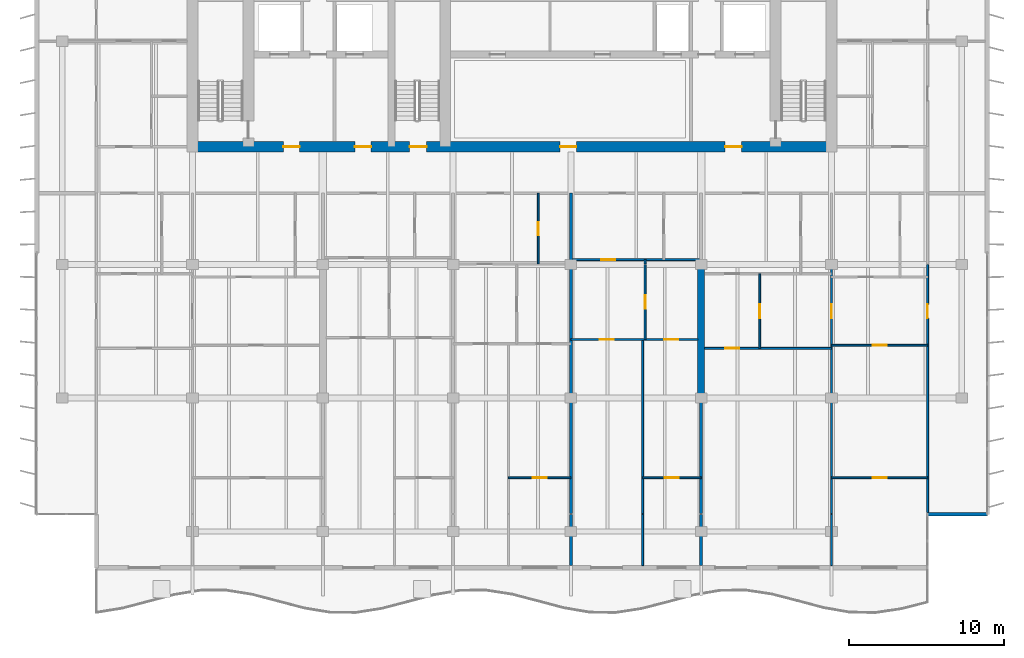
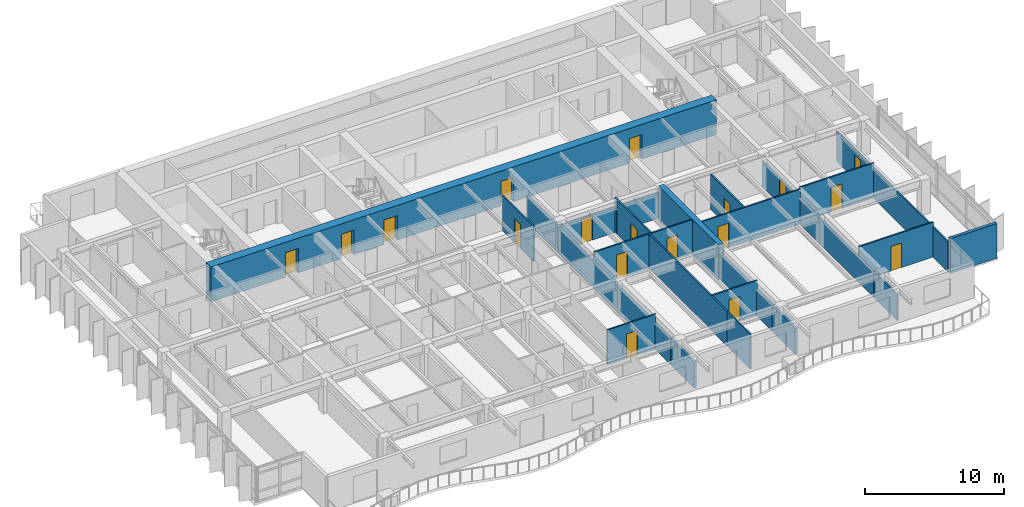
# One storey, part 8 of 17: 24 walls, 18 doors, 18 openings.
"""IFC4 building model written with IfcOpenShell, lengths in metres."""

from ifc_helpers import new_model, si_unit, direction, frame, frame_2d, origin, place, context, subcontext, project, spatial, rectangle, extrude, material, layer, layer_set, type_object, element, fill, save


model = new_model("IFC4")

# Units and contexts
model_context = context("Model", 3, precision=1e-05, world=origin(), true_north=direction((0.0, 1.0)))
body_context = subcontext(model_context, "Body", "Model", "MODEL_VIEW")
ifc_project = project(units=[si_unit("LENGTHUNIT", "METRE"), si_unit("AREAUNIT", "SQUARE_METRE"), si_unit("VOLUMEUNIT", "CUBIC_METRE"), si_unit("PLANEANGLEUNIT", "RADIAN"), si_unit("MASSUNIT", "GRAM", prefix="KILO")], contexts=[model_context])

# Site, building, storey
site_placement = place(None, origin())
site = spatial("IfcSite", under=ifc_project, at=site_placement, CompositionType="ELEMENT")
building_placement = place(site_placement, origin())
building = spatial("IfcBuilding", under=site, at=building_placement, Name="Caelmar Bay Residences", CompositionType="ELEMENT")
storey_placement = place(building_placement, frame((0.0, 0.0, 236.39990234375)))
storey = spatial("IfcBuildingStorey", under=building, at=storey_placement, Name="L66", CompositionType="ELEMENT", Elevation=236.39990234375)

# Wall, openings, doors
ifc_material_1 = material(Name="Concrete f'c 55 MPa (8,000 psi)", Category="concrete")
ifc_layer_1 = layer(ifc_material_1, 0.699951171875)
ifc_layer_set_1 = layer_set([ifc_layer_1], Name="Concrete f'c 55 MPa (8,000 psi)")
wall_type_1 = type_object("IfcWallType", Name="SW-COR-700", PredefinedType="SHEAR", material=ifc_layer_set_1)
wall_1_placement = place(storey_placement, frame((17.949951171875, 37.0, 0.0), z_axis=(0.0, 0.0, 1.0), x_axis=(1.0, 0.0, 0.0)))
wall_1 = element("IfcWall", 1, at=wall_1_placement, inside=storey, type_object=wall_type_1, Name="L66 Rear Core South Shear Wall", PredefinedType="SHEAR", context=body_context, shape_type="SweptSolid", body=[
    extrude(rectangle(XDim=41.900146484375, YDim=0.699951171875, at=frame_2d((20.9501953125, 0.0))), origin(), (0.0, 0.0, 1.0), 3.050048828125),
])
opening_1_placement = place(wall_1_placement, frame((14.35009765625, 0.0, 0.0)))
opening_1 = element("IfcOpeningElement", 2, at=opening_1_placement, cuts=wall_1, Name="Opening D-L66-105", PredefinedType="OPENING", context=body_context, shape_type="SweptSolid", body=[
    extrude(rectangle(XDim=1.10009765625, YDim=2.14990234375, at=frame_2d((0.550048828125, 1.074951171875))), frame((0.0, 0.35986328125, 0.0), z_axis=(0.0, -1.0, 0.0), x_axis=(1.0, 0.0, 0.0)), (0.0, 0.0, 1.0), 0.719970703125),
])
opening_2_placement = place(wall_1_placement, frame((6.199951171875, 0.0, 0.0)))
opening_2 = element("IfcOpeningElement", 3, at=opening_2_placement, cuts=wall_1, Name="Opening D-L66-106", PredefinedType="OPENING", context=body_context, shape_type="SweptSolid", body=[
    extrude(rectangle(XDim=1.050048828125, YDim=2.14990234375, at=frame_2d((0.52490234375, 1.074951171875))), frame((0.0, 0.35986328125, 0.0), z_axis=(0.0, -1.0, 0.0), x_axis=(1.0, 0.0, 0.0)), (0.0, 0.0, 1.0), 0.719970703125),
])
opening_3_placement = place(wall_1_placement, frame((34.699951171875, 0.0, 0.0)))
opening_3 = element("IfcOpeningElement", 4, at=opening_3_placement, cuts=wall_1, Name="Opening D-L66-109", PredefinedType="OPENING", context=body_context, shape_type="SweptSolid", body=[
    extrude(rectangle(XDim=1.050048828125, YDim=2.14990234375, at=frame_2d((0.52490234375, 1.074951171875))), frame((0.0, 0.35986328125, 0.0), z_axis=(0.0, -1.0, 0.0), x_axis=(1.0, 0.0, 0.0)), (0.0, 0.0, 1.0), 0.719970703125),
])
opening_4_placement = place(wall_1_placement, frame((10.8125, 0.0, 0.0)))
opening_4 = element("IfcOpeningElement", 5, at=opening_4_placement, cuts=wall_1, Name="Opening D-L66-112", PredefinedType="OPENING", context=body_context, shape_type="SweptSolid", body=[
    extrude(rectangle(XDim=1.050048828125, YDim=2.14990234375, at=frame_2d((0.52490234375, 1.074951171875))), frame((0.0, 0.35986328125, 0.0), z_axis=(0.0, -1.0, 0.0), x_axis=(1.0, 0.0, 0.0)), (0.0, 0.0, 1.0), 0.719970703125),
])
opening_5_placement = place(wall_1_placement, frame((24.050048828125, 0.0, 0.0)))
opening_5 = element("IfcOpeningElement", 6, at=opening_5_placement, cuts=wall_1, Name="Opening D-L66-113", PredefinedType="OPENING", context=body_context, shape_type="SweptSolid", body=[
    extrude(rectangle(XDim=1.050048828125, YDim=2.14990234375, at=frame_2d((0.52490234375, 1.074951171875))), frame((0.0, 0.35986328125, 0.0), z_axis=(0.0, -1.0, 0.0), x_axis=(1.0, 0.0, 0.0)), (0.0, 0.0, 1.0), 0.719970703125),
])
ifc_material_2 = material(Name="Fire-rated steel and walnut architectural door assembly", Category="steel")
ifc_layer_2 = layer(ifc_material_2, 0.050048828125)
ifc_layer_set_2 = layer_set([ifc_layer_2], Name="Fire-rated steel and walnut architectural door assembly")
door_type_1 = type_object("IfcDoorType", Name="D-FSAE-1050", OperationType="NOTDEFINED", PredefinedType="DOOR", material=ifc_layer_set_2)
door_1_placement = place(opening_2_placement, origin())
door_1 = element("IfcDoor", 7, at=door_1_placement, inside=storey, type_object=door_type_1, Name="L66 Firefighting Lobby West Door", OperationType="SINGLE_SWING_RIGHT", OverallHeight=2.14990234375, OverallWidth=1.050048828125, PredefinedType="DOOR", context=body_context, shape_type="SweptSolid", body=[
    extrude(rectangle(XDim=1.050048828125, YDim=2.14990234375, at=frame_2d((0.52490234375, 1.074951171875))), frame((0.0, 0.02490234375, 0.0), z_axis=(0.0, -1.0, 0.0), x_axis=(1.0, 0.0, 0.0)), (0.0, 0.0, 1.0), 0.050048828125),
])
fill(opening_2, door_1)
door_2_placement = place(opening_3_placement, origin())
door_2 = element("IfcDoor", 8, at=door_2_placement, inside=storey, type_object=door_type_1, Name="L66 Firefighting Lobby East Door", OperationType="SINGLE_SWING_LEFT", OverallHeight=2.14990234375, OverallWidth=1.050048828125, PredefinedType="DOOR", context=body_context, shape_type="SweptSolid", body=[
    extrude(rectangle(XDim=1.050048828125, YDim=2.14990234375, at=frame_2d((0.52490234375, 1.074951171875))), frame((0.0, 0.02490234375, 0.0), z_axis=(0.0, -1.0, 0.0), x_axis=(1.0, 0.0, 0.0)), (0.0, 0.0, 1.0), 0.050048828125),
])
fill(opening_3, door_2)
door_3_placement = place(opening_4_placement, origin())
door_3 = element("IfcDoor", 9, at=door_3_placement, inside=storey, type_object=door_type_1, Name="L66 West Lift Lobby Door", OperationType="SINGLE_SWING_RIGHT", OverallHeight=2.14990234375, OverallWidth=1.050048828125, PredefinedType="DOOR", context=body_context, shape_type="SweptSolid", body=[
    extrude(rectangle(XDim=1.050048828125, YDim=2.14990234375, at=frame_2d((0.52490234375, 1.074951171875))), frame((0.0, 0.02490234375, 0.0), z_axis=(0.0, -1.0, 0.0), x_axis=(1.0, 0.0, 0.0)), (0.0, 0.0, 1.0), 0.050048828125),
])
fill(opening_4, door_3)
door_4_placement = place(opening_5_placement, origin())
door_4 = element("IfcDoor", 10, at=door_4_placement, inside=storey, type_object=door_type_1, Name="L66 Passenger Lift Lobby Door", OperationType="SINGLE_SWING_LEFT", OverallHeight=2.14990234375, OverallWidth=1.050048828125, PredefinedType="DOOR", context=body_context, shape_type="SweptSolid", body=[
    extrude(rectangle(XDim=1.050048828125, YDim=2.14990234375, at=frame_2d((0.52490234375, 1.074951171875))), frame((0.0, 0.02490234375, 0.0), z_axis=(0.0, -1.0, 0.0), x_axis=(1.0, 0.0, 0.0)), (0.0, 0.0, 1.0), 0.050048828125),
])
fill(opening_5, door_4)
ifc_layer_3 = layer(ifc_material_2, 0.050048828125)
ifc_layer_set_3 = layer_set([ifc_layer_3], Name="Fire-rated steel and walnut architectural door assembly")
door_type_2 = type_object("IfcDoorType", Name="D-STAIR-1100", OperationType="NOTDEFINED", PredefinedType="DOOR", material=ifc_layer_set_3)
door_5_placement = place(opening_1_placement, origin())
door_5 = element("IfcDoor", 11, at=door_5_placement, inside=storey, type_object=door_type_2, Name="L66 Exit Stair ST3 Door", OperationType="SINGLE_SWING_LEFT", OverallHeight=2.14990234375, OverallWidth=1.10009765625, PredefinedType="DOOR", context=body_context, shape_type="SweptSolid", body=[
    extrude(rectangle(XDim=1.10009765625, YDim=2.14990234375, at=frame_2d((0.550048828125, 1.074951171875))), frame((0.0, 0.02490234375, 0.0), z_axis=(0.0, -1.0, 0.0), x_axis=(1.0, 0.0, 0.0)), (0.0, 0.0, 1.0), 0.050048828125),
])
fill(opening_1, door_5)

# Walls
ifc_layer_4 = layer(ifc_material_1, 0.449951171875)
ifc_layer_set_4 = layer_set([ifc_layer_4], Name="Concrete f'c 55 MPa (8,000 psi)")
wall_type_2 = type_object("IfcWallType", Name="SW-XSLB-450", PredefinedType="SHEAR", material=ifc_layer_set_4)
wall_2_placement = place(storey_placement, frame((51.10009765625, 20.800048828125, 0.0), z_axis=(0.0, 0.0, 1.0), x_axis=(0.0, 1.0, 0.0)))
element("IfcWall", 12, at=wall_2_placement, inside=storey, type_object=wall_type_2, Name="L66 Transverse Cross-Slab Shear Wall E8", PredefinedType="SHEAR", context=body_context, shape_type="SweptSolid", body=[
    extrude(rectangle(XDim=8.599853515625, YDim=0.449951171875, at=frame_2d((4.2998046875, 0.0))), origin(), (0.0, 0.0, 1.0), 3.050048828125),
])
ifc_material_3 = material(Name="Precast concrete f'c 40 MPa (6,000 psi)", Category="concrete")
ifc_layer_5 = layer(ifc_material_3, 0.25)
ifc_layer_set_5 = layer_set([ifc_layer_5], Name="Precast concrete f'c 40 MPa (6,000 psi)")
wall_type_3 = type_object("IfcWallType", Name="W-EXT-250", PredefinedType="ELEMENTEDWALL", material=ifc_layer_set_5)
wall_3_placement = place(storey_placement, frame((65.699951171875, 13.300048828125, 0.0), z_axis=(0.0, 0.0, 1.0), x_axis=(1.0, 0.0, 0.0)))
element("IfcWall", 13, at=wall_3_placement, inside=storey, type_object=wall_type_3, Name="L66 SE Notch Return Wall", PredefinedType="ELEMENTEDWALL", context=body_context, shape_type="SweptSolid", body=[
    extrude(rectangle(XDim=3.85009765625, YDim=0.25, at=frame_2d((1.925048828125, 0.0))), origin(), (0.0, 0.0, 1.0), 3.050048828125),
])

# Wall, opening, door
ifc_material_4 = material(Name="Acoustic metal-stud gypsum partition 120 mm")
ifc_layer_6 = layer(ifc_material_4, 0.1201171875)
ifc_layer_set_6 = layer_set([ifc_layer_6], Name="Acoustic metal-stud gypsum partition 120 mm")
wall_type_4 = type_object("IfcWallType", Name="W-PRT-120", PredefinedType="PARTITIONING", material=ifc_layer_set_6)
wall_4_placement = place(storey_placement, frame((40.594970703125, 29.43994140625, 0.0), z_axis=(0.0, 0.0, 1.0), x_axis=(0.0, 1.0, 0.0)))
wall_4 = element("IfcWall", 14, at=wall_4_placement, inside=storey, type_object=wall_type_4, Name="L66 Partition Wall V032", PredefinedType="PARTITIONING", context=body_context, shape_type="SweptSolid", body=[
    extrude(rectangle(XDim=4.56005859375, YDim=0.1201171875, at=frame_2d((2.280029296875, 0.0))), origin(), (0.0, 0.0, 1.0), 3.050048828125),
])
opening_6_placement = place(wall_4_placement, frame((1.85498046875, 0.0, 0.0)))
opening_6 = element("IfcOpeningElement", 15, at=opening_6_placement, cuts=wall_4, Name="Opening D-L66-137", PredefinedType="OPENING", context=body_context, shape_type="SweptSolid", body=[
    extrude(rectangle(XDim=0.85009765625, YDim=2.10009765625, at=frame_2d((0.425048828125, 1.050048828125))), frame((0.0, 0.070068359375, 0.0), z_axis=(0.0, -1.0, 0.0), x_axis=(1.0, 0.0, 0.0)), (0.0, 0.0, 1.0), 0.14013671875),
])
ifc_material_5 = material(Name="Solid walnut timber interior door leaf and frame", Category="wood")
ifc_layer_7 = layer(ifc_material_5, 0.050048828125)
ifc_layer_set_7 = layer_set([ifc_layer_7], Name="Solid walnut timber interior door leaf and frame")
door_type_3 = type_object("IfcDoorType", Name="D-BATH-850", OperationType="NOTDEFINED", PredefinedType="DOOR", material=ifc_layer_set_7)
door_6_placement = place(opening_6_placement, origin())
door_6 = element("IfcDoor", 16, at=door_6_placement, inside=storey, type_object=door_type_3, Name="L66 Residence 03 Bathroom Door", OperationType="SINGLE_SWING_LEFT", OverallHeight=2.10009765625, OverallWidth=0.85009765625, PredefinedType="DOOR", context=body_context, shape_type="SweptSolid", body=[
    extrude(rectangle(XDim=0.85009765625, YDim=2.10009765625, at=frame_2d((0.425048828125, 1.050048828125))), frame((0.0, 0.02490234375, 0.0), z_axis=(0.0, -1.0, 0.0), x_axis=(1.0, 0.0, 0.0)), (0.0, 0.0, 1.0), 0.050048828125),
])
fill(opening_6, door_6)

# Walls
wall_5_placement = place(storey_placement, frame((47.320068359375, 9.9951171875, 0.0), z_axis=(0.0, 0.0, 1.0), x_axis=(0.0, 1.0, 0.0)))
element("IfcWall", 17, at=wall_5_placement, inside=storey, type_object=wall_type_4, Name="L66 Partition Wall V037", PredefinedType="PARTITIONING", context=body_context, shape_type="SweptSolid", body=[
    extrude(rectangle(XDim=3.304931640625, YDim=0.1201171875, at=frame_2d((1.65234375, 0.0))), origin(), (0.0, 0.0, 1.0), 3.050048828125),
])
wall_6_placement = place(storey_placement, frame((47.320068359375, 13.340087890625, 0.0), z_axis=(0.0, 0.0, 1.0), x_axis=(0.0, 1.0, 0.0)))
element("IfcWall", 18, at=wall_6_placement, inside=storey, type_object=wall_type_4, Name="L66 Partition Wall V038", PredefinedType="PARTITIONING", context=body_context, shape_type="SweptSolid", body=[
    extrude(rectangle(XDim=11.22998046875, YDim=0.1201171875, at=frame_2d((5.614990234375, 0.0))), origin(), (0.0, 0.0, 1.0), 3.050048828125),
])

# Wall, opening, door
wall_7_placement = place(storey_placement, frame((47.486083984375, 24.574951171875, 0.0), z_axis=(0.0, 0.0, 1.0), x_axis=(0.0, 1.0, 0.0)))
wall_7 = element("IfcWall", 19, at=wall_7_placement, inside=storey, type_object=wall_type_4, Name="L66 Partition Wall V039", PredefinedType="PARTITIONING", context=body_context, shape_type="SweptSolid", body=[
    extrude(rectangle(XDim=4.824951171875, YDim=0.1201171875, at=frame_2d((2.41259765625, 0.0))), origin(), (0.0, 0.0, 1.0), 3.050048828125),
])
opening_7_placement = place(wall_7_placement, frame((1.96240234375, 0.0, 0.0)))
opening_7 = element("IfcOpeningElement", 20, at=opening_7_placement, cuts=wall_7, Name="Opening D-L66-146", PredefinedType="OPENING", context=body_context, shape_type="SweptSolid", body=[
    extrude(rectangle(XDim=0.89990234375, YDim=2.14990234375, at=frame_2d((0.449951171875, 1.074951171875))), frame((0.0, 0.070068359375, 0.0), z_axis=(0.0, -1.0, 0.0), x_axis=(1.0, 0.0, 0.0)), (0.0, 0.0, 1.0), 0.14013671875),
])
ifc_layer_8 = layer(ifc_material_5, 0.050048828125)
ifc_layer_set_8 = layer_set([ifc_layer_8], Name="Solid walnut timber interior door leaf and frame")
door_type_4 = type_object("IfcDoorType", Name="D-ROOM-900", OperationType="NOTDEFINED", PredefinedType="DOOR", material=ifc_layer_set_8)
door_7_placement = place(opening_7_placement, origin())
door_7 = element("IfcDoor", 21, at=door_7_placement, inside=storey, type_object=door_type_4, Name="L66 Residence 04 Home Office Door", OperationType="SINGLE_SWING_RIGHT", OverallHeight=2.14990234375, OverallWidth=0.89990234375, PredefinedType="DOOR", context=body_context, shape_type="SweptSolid", body=[
    extrude(rectangle(XDim=0.89990234375, YDim=2.14990234375, at=frame_2d((0.449951171875, 1.074951171875))), frame((0.0, 0.02490234375, 0.0), z_axis=(0.0, -1.0, 0.0), x_axis=(1.0, 0.0, 0.0)), (0.0, 0.0, 1.0), 0.050048828125),
])
fill(opening_7, door_7)

# Wall
wall_8_placement = place(storey_placement, frame((47.486083984375, 29.43994140625, 0.0), z_axis=(0.0, 0.0, 1.0), x_axis=(0.0, 1.0, 0.0)))
element("IfcWall", 22, at=wall_8_placement, inside=storey, type_object=wall_type_4, Name="L66 Partition Wall V040", PredefinedType="PARTITIONING", context=body_context, shape_type="SweptSolid", body=[
    extrude(rectangle(XDim=0.280029296875, YDim=0.1201171875, at=frame_2d((0.14013671875, 0.0))), origin(), (0.0, 0.0, 1.0), 3.050048828125),
])

# Wall, opening, door
wall_9_placement = place(storey_placement, frame((54.8798828125, 24.0, 0.0), z_axis=(0.0, 0.0, 1.0), x_axis=(0.0, 1.0, 0.0)))
wall_9 = element("IfcWall", 23, at=wall_9_placement, inside=storey, type_object=wall_type_4, Name="L66 Partition Wall V049", PredefinedType="PARTITIONING", context=body_context, shape_type="SweptSolid", body=[
    extrude(rectangle(XDim=4.800048828125, YDim=0.1201171875, at=frame_2d((2.39990234375, 0.0))), origin(), (0.0, 0.0, 1.0), 3.050048828125),
])
opening_8_placement = place(wall_9_placement, frame((1.949951171875, 0.0, 0.0)))
opening_8 = element("IfcOpeningElement", 24, at=opening_8_placement, cuts=wall_9, Name="Opening D-L66-153", PredefinedType="OPENING", context=body_context, shape_type="SweptSolid", body=[
    extrude(rectangle(XDim=0.89990234375, YDim=2.14990234375, at=frame_2d((0.449951171875, 1.074951171875))), frame((0.0, 0.070068359375, 0.0), z_axis=(0.0, -1.0, 0.0), x_axis=(1.0, 0.0, 0.0)), (0.0, 0.0, 1.0), 0.14013671875),
])
door_8_placement = place(opening_8_placement, origin())
door_8 = element("IfcDoor", 25, at=door_8_placement, inside=storey, type_object=door_type_4, Name="L66 Residence 05 Kitchen Door", OperationType="SINGLE_SWING_LEFT", OverallHeight=2.14990234375, OverallWidth=0.89990234375, PredefinedType="DOOR", context=body_context, shape_type="SweptSolid", body=[
    extrude(rectangle(XDim=0.89990234375, YDim=2.14990234375, at=frame_2d((0.449951171875, 1.074951171875))), frame((0.0, 0.02490234375, 0.0), z_axis=(0.0, -1.0, 0.0), x_axis=(1.0, 0.0, 0.0)), (0.0, 0.0, 1.0), 0.050048828125),
])
fill(opening_8, door_8)

# Wall
wall_10_placement = place(storey_placement, frame((59.5, 9.9951171875, 0.0), z_axis=(0.0, 0.0, 1.0), x_axis=(0.0, 1.0, 0.0)))
element("IfcWall", 26, at=wall_10_placement, inside=storey, type_object=wall_type_4, Name="L66 Partition Wall V053", PredefinedType="PARTITIONING", context=body_context, shape_type="SweptSolid", body=[
    extrude(rectangle(XDim=3.304931640625, YDim=0.1201171875, at=frame_2d((1.65234375, 0.0))), origin(), (0.0, 0.0, 1.0), 2.26318359375),
])

# Wall, opening, door
wall_11_placement = place(storey_placement, frame((59.5, 13.340087890625, 0.0), z_axis=(0.0, 0.0, 1.0), x_axis=(0.0, 1.0, 0.0)))
wall_11 = element("IfcWall", 27, at=wall_11_placement, inside=storey, type_object=wall_type_4, Name="L66 Partition Wall V054", PredefinedType="PARTITIONING", context=body_context, shape_type="SweptSolid", body=[
    extrude(rectangle(XDim=16.059814453125, YDim=0.1201171875, at=frame_2d((8.02978515625, 0.0))), origin(), (0.0, 0.0, 1.0), 2.26318359375),
])
opening_9_placement = place(wall_11_placement, frame((12.610107421875, 0.0, 0.0)))
opening_9 = element("IfcOpeningElement", 28, at=opening_9_placement, cuts=wall_11, Name="Opening D-L66-155", PredefinedType="OPENING", context=body_context, shape_type="SweptSolid", body=[
    extrude(rectangle(XDim=0.89990234375, YDim=2.14990234375, at=frame_2d((0.449951171875, 1.074951171875))), frame((0.0, 0.070068359375, 0.0), z_axis=(0.0, -1.0, 0.0), x_axis=(1.0, 0.0, 0.0)), (0.0, 0.0, 1.0), 0.14013671875),
])
door_9_placement = place(opening_9_placement, origin())
door_9 = element("IfcDoor", 29, at=door_9_placement, inside=storey, type_object=door_type_4, Name="L66 Residence 05 Library Study 1 Door", OperationType="SINGLE_SWING_LEFT", OverallHeight=2.14990234375, OverallWidth=0.89990234375, PredefinedType="DOOR", context=body_context, shape_type="SweptSolid", body=[
    extrude(rectangle(XDim=0.89990234375, YDim=2.14990234375, at=frame_2d((0.449951171875, 1.074951171875))), frame((0.0, 0.02490234375, 0.0), z_axis=(0.0, -1.0, 0.0), x_axis=(1.0, 0.0, 0.0)), (0.0, 0.0, 1.0), 0.050048828125),
])
fill(opening_9, door_9)

wall_12_placement = place(storey_placement, frame((65.699951171875, 13.419921875, 0.0), z_axis=(0.0, 0.0, 1.0), x_axis=(0.0, 1.0, 0.0)))
wall_12 = element("IfcWall", 30, at=wall_12_placement, inside=storey, type_object=wall_type_4, Name="L66 Partition Wall V059", PredefinedType="PARTITIONING", context=body_context, shape_type="SweptSolid", body=[
    extrude(rectangle(XDim=15.97998046875, YDim=0.1201171875, at=frame_2d((7.989990234375, 0.0))), origin(), (0.0, 0.0, 1.0), 2.629150390625),
])
opening_10_placement = place(wall_12_placement, frame((12.530029296875, 0.0, 0.0)))
opening_10 = element("IfcOpeningElement", 31, at=opening_10_placement, cuts=wall_12, Name="Opening D-L66-161", PredefinedType="OPENING", context=body_context, shape_type="SweptSolid", body=[
    extrude(rectangle(XDim=0.89990234375, YDim=2.14990234375, at=frame_2d((0.449951171875, 1.074951171875))), frame((0.0, 0.070068359375, 0.0), z_axis=(0.0, -1.0, 0.0), x_axis=(1.0, 0.0, 0.0)), (0.0, 0.0, 1.0), 0.14013671875),
])
door_10_placement = place(opening_10_placement, origin())
door_10 = element("IfcDoor", 32, at=door_10_placement, inside=storey, type_object=door_type_4, Name="L66 Residence 05 Penthouse East Salon Door", OperationType="SINGLE_SWING_LEFT", OverallHeight=2.14990234375, OverallWidth=0.89990234375, PredefinedType="DOOR", context=body_context, shape_type="SweptSolid", body=[
    extrude(rectangle(XDim=0.89990234375, YDim=2.14990234375, at=frame_2d((0.449951171875, 1.074951171875))), frame((0.0, 0.02490234375, 0.0), z_axis=(0.0, -1.0, 0.0), x_axis=(1.0, 0.0, 0.0)), (0.0, 0.0, 1.0), 0.050048828125),
])
fill(opening_10, door_10)

wall_13_placement = place(storey_placement, frame((38.672119140625, 15.64990234375, 0.0), z_axis=(0.0, 0.0, 1.0), x_axis=(1.0, 0.0, 0.0)))
wall_13 = element("IfcWall", 33, at=wall_13_placement, inside=storey, type_object=wall_type_4, Name="L66 Partition Wall H065", PredefinedType="PARTITIONING", context=body_context, shape_type="SweptSolid", body=[
    extrude(rectangle(XDim=4.02783203125, YDim=0.1201171875, at=frame_2d((2.013916015625, 0.0))), origin(), (0.0, 0.0, 1.0), 3.050048828125),
])
opening_11_placement = place(wall_13_placement, frame((1.56396484375, 0.0, 0.0)))
opening_11 = element("IfcOpeningElement", 34, at=opening_11_placement, cuts=wall_13, Name="Opening D-L66-142", PredefinedType="OPENING", context=body_context, shape_type="SweptSolid", body=[
    extrude(rectangle(XDim=0.89990234375, YDim=2.14990234375, at=frame_2d((0.449951171875, 1.074951171875))), frame((0.0, 0.070068359375, 0.0), z_axis=(0.0, -1.0, 0.0), x_axis=(1.0, 0.0, 0.0)), (0.0, 0.0, 1.0), 0.14013671875),
])
door_11_placement = place(opening_11_placement, origin())
door_11 = element("IfcDoor", 35, at=door_11_placement, inside=storey, type_object=door_type_4, Name="L66 Residence 03 Primary Bedroom Door", OperationType="SINGLE_SWING_RIGHT", OverallHeight=2.14990234375, OverallWidth=0.89990234375, PredefinedType="DOOR", context=body_context, shape_type="SweptSolid", body=[
    extrude(rectangle(XDim=0.89990234375, YDim=2.14990234375, at=frame_2d((0.449951171875, 1.074951171875))), frame((0.0, 0.02490234375, 0.0), z_axis=(0.0, -1.0, 0.0), x_axis=(1.0, 0.0, 0.0)), (0.0, 0.0, 1.0), 0.050048828125),
])
fill(opening_11, door_11)

wall_14_placement = place(storey_placement, frame((47.320068359375, 15.64990234375, 0.0), z_axis=(0.0, 0.0, 1.0), x_axis=(1.0, 0.0, 0.0)))
wall_14 = element("IfcWall", 36, at=wall_14_placement, inside=storey, type_object=wall_type_4, Name="L66 Partition Wall H066", PredefinedType="PARTITIONING", context=body_context, shape_type="SweptSolid", body=[
    extrude(rectangle(XDim=3.780029296875, YDim=0.1201171875, at=frame_2d((1.89013671875, 0.0))), origin(), (0.0, 0.0, 1.0), 3.050048828125),
])
opening_12_placement = place(wall_14_placement, frame((1.43994140625, 0.0, 0.0)))
opening_12 = element("IfcOpeningElement", 37, at=opening_12_placement, cuts=wall_14, Name="Opening D-L66-149", PredefinedType="OPENING", context=body_context, shape_type="SweptSolid", body=[
    extrude(rectangle(XDim=0.89990234375, YDim=2.14990234375, at=frame_2d((0.449951171875, 1.074951171875))), frame((0.0, 0.070068359375, 0.0), z_axis=(0.0, -1.0, 0.0), x_axis=(1.0, 0.0, 0.0)), (0.0, 0.0, 1.0), 0.14013671875),
])
door_12_placement = place(opening_12_placement, origin())
door_12 = element("IfcDoor", 38, at=door_12_placement, inside=storey, type_object=door_type_4, Name="L66 Residence 04 Primary Bedroom Door", OperationType="SINGLE_SWING_LEFT", OverallHeight=2.14990234375, OverallWidth=0.89990234375, PredefinedType="DOOR", context=body_context, shape_type="SweptSolid", body=[
    extrude(rectangle(XDim=0.89990234375, YDim=2.14990234375, at=frame_2d((0.449951171875, 1.074951171875))), frame((0.0, 0.02490234375, 0.0), z_axis=(0.0, -1.0, 0.0), x_axis=(1.0, 0.0, 0.0)), (0.0, 0.0, 1.0), 0.050048828125),
])
fill(opening_12, door_12)

wall_15_placement = place(storey_placement, frame((59.5, 15.64990234375, 0.0), z_axis=(0.0, 0.0, 1.0), x_axis=(1.0, 0.0, 0.0)))
wall_15 = element("IfcWall", 39, at=wall_15_placement, inside=storey, type_object=wall_type_4, Name="L66 Partition Wall H067", PredefinedType="PARTITIONING", context=body_context, shape_type="SweptSolid", body=[
    extrude(rectangle(XDim=6.199951171875, YDim=0.1201171875, at=frame_2d((3.10009765625, 0.0))), origin(), (0.0, 0.0, 1.0), 3.050048828125),
])
opening_13_placement = place(wall_15_placement, frame((2.64990234375, 0.0, 0.0)))
opening_13 = element("IfcOpeningElement", 40, at=opening_13_placement, cuts=wall_15, Name="Opening D-L66-159", PredefinedType="OPENING", context=body_context, shape_type="SweptSolid", body=[
    extrude(rectangle(XDim=0.89990234375, YDim=2.14990234375, at=frame_2d((0.449951171875, 1.074951171875))), frame((0.0, 0.070068359375, 0.0), z_axis=(0.0, -1.0, 0.0), x_axis=(1.0, 0.0, 0.0)), (0.0, 0.0, 1.0), 0.14013671875),
])
door_13_placement = place(opening_13_placement, origin())
door_13 = element("IfcDoor", 41, at=door_13_placement, inside=storey, type_object=door_type_4, Name="L66 Residence 05 Primary Bedroom 1 Door", OperationType="SINGLE_SWING_LEFT", OverallHeight=2.14990234375, OverallWidth=0.89990234375, PredefinedType="DOOR", context=body_context, shape_type="SweptSolid", body=[
    extrude(rectangle(XDim=0.89990234375, YDim=2.14990234375, at=frame_2d((0.449951171875, 1.074951171875))), frame((0.0, 0.02490234375, 0.0), z_axis=(0.0, -1.0, 0.0), x_axis=(1.0, 0.0, 0.0)), (0.0, 0.0, 1.0), 0.050048828125),
])
fill(opening_13, door_13)

wall_16_placement = place(storey_placement, frame((51.320068359375, 24.0, 0.0), z_axis=(0.0, 0.0, 1.0), x_axis=(1.0, 0.0, 0.0)))
wall_16 = element("IfcWall", 42, at=wall_16_placement, inside=storey, type_object=wall_type_4, Name="L66 Partition Wall H069", PredefinedType="PARTITIONING", context=body_context, shape_type="SweptSolid", body=[
    extrude(rectangle(XDim=8.179931640625, YDim=0.1201171875, at=frame_2d((4.08984375, 0.0))), origin(), (0.0, 0.0, 1.0), 3.050048828125),
])
opening_14_placement = place(wall_16_placement, frame((1.330078125, 0.0, 0.0)))
opening_14 = element("IfcOpeningElement", 43, at=opening_14_placement, cuts=wall_16, Name="Opening D-L66-154", PredefinedType="OPENING", context=body_context, shape_type="SweptSolid", body=[
    extrude(rectangle(XDim=0.89990234375, YDim=2.14990234375, at=frame_2d((0.449951171875, 1.074951171875))), frame((0.0, 0.070068359375, 0.0), z_axis=(0.0, -1.0, 0.0), x_axis=(1.0, 0.0, 0.0)), (0.0, 0.0, 1.0), 0.14013671875),
])
door_14_placement = place(opening_14_placement, origin())
door_14 = element("IfcDoor", 44, at=door_14_placement, inside=storey, type_object=door_type_4, Name="L66 Residence 05 Penthouse Living Salon Door", OperationType="SINGLE_SWING_RIGHT", OverallHeight=2.14990234375, OverallWidth=0.89990234375, PredefinedType="DOOR", context=body_context, shape_type="SweptSolid", body=[
    extrude(rectangle(XDim=0.89990234375, YDim=2.14990234375, at=frame_2d((0.449951171875, 1.074951171875))), frame((0.0, 0.02490234375, 0.0), z_axis=(0.0, -1.0, 0.0), x_axis=(1.0, 0.0, 0.0)), (0.0, 0.0, 1.0), 0.050048828125),
])
fill(opening_14, door_14)

wall_17_placement = place(storey_placement, frame((59.5048828125, 24.199951171875, 0.0), z_axis=(0.0, 0.0, 1.0), x_axis=(1.0, 0.0, 0.0)))
wall_17 = element("IfcWall", 45, at=wall_17_placement, inside=storey, type_object=wall_type_4, Name="L66 Partition Wall H071", PredefinedType="PARTITIONING", context=body_context, shape_type="SweptSolid", body=[
    extrude(rectangle(XDim=6.195068359375, YDim=0.1201171875, at=frame_2d((3.09765625, 0.0))), origin(), (0.0, 0.0, 1.0), 3.050048828125),
])
opening_15_placement = place(wall_17_placement, frame((2.6474609375, 0.0, 0.0)))
opening_15 = element("IfcOpeningElement", 46, at=opening_15_placement, cuts=wall_17, Name="Opening D-L66-158", PredefinedType="OPENING", context=body_context, shape_type="SweptSolid", body=[
    extrude(rectangle(XDim=0.89990234375, YDim=2.14990234375, at=frame_2d((0.449951171875, 1.074951171875))), frame((0.0, 0.070068359375, 0.0), z_axis=(0.0, -1.0, 0.0), x_axis=(1.0, 0.0, 0.0)), (0.0, 0.0, 1.0), 0.14013671875),
])
door_15_placement = place(opening_15_placement, origin())
door_15 = element("IfcDoor", 47, at=door_15_placement, inside=storey, type_object=door_type_4, Name="L66 Residence 05 Penthouse Sitting Salon 1 Door", OperationType="SINGLE_SWING_RIGHT", OverallHeight=2.14990234375, OverallWidth=0.89990234375, PredefinedType="DOOR", context=body_context, shape_type="SweptSolid", body=[
    extrude(rectangle(XDim=0.89990234375, YDim=2.14990234375, at=frame_2d((0.449951171875, 1.074951171875))), frame((0.0, 0.02490234375, 0.0), z_axis=(0.0, -1.0, 0.0), x_axis=(1.0, 0.0, 0.0)), (0.0, 0.0, 1.0), 0.050048828125),
])
fill(opening_15, door_15)

# Wall, openings, doors
wall_18_placement = place(storey_placement, frame((42.699951171875, 24.570068359375, 0.0), z_axis=(0.0, 0.0, 1.0), x_axis=(1.0, 0.0, 0.0)))
wall_18 = element("IfcWall", 48, at=wall_18_placement, inside=storey, type_object=wall_type_4, Name="L66 Partition Wall H073", PredefinedType="PARTITIONING", context=body_context, shape_type="SweptSolid", body=[
    extrude(rectangle(XDim=8.179931640625, YDim=0.1201171875, at=frame_2d((4.08984375, 0.0))), origin(), (0.0, 0.0, 1.0), 3.050048828125),
])
opening_16_placement = place(wall_18_placement, frame((1.860107421875, 0.0, 0.0)))
opening_16 = element("IfcOpeningElement", 49, at=opening_16_placement, cuts=wall_18, Name="Opening D-L66-147", PredefinedType="OPENING", context=body_context, shape_type="SweptSolid", body=[
    extrude(rectangle(XDim=0.89990234375, YDim=2.14990234375, at=frame_2d((0.449951171875, 1.074951171875))), frame((0.0, 0.070068359375, 0.0), z_axis=(0.0, -1.0, 0.0), x_axis=(1.0, 0.0, 0.0)), (0.0, 0.0, 1.0), 0.14013671875),
])
opening_17_placement = place(wall_18_placement, frame((6.032958984375, 0.0, 0.0)))
opening_17 = element("IfcOpeningElement", 50, at=opening_17_placement, cuts=wall_18, Name="Opening D-L66-148", PredefinedType="OPENING", context=body_context, shape_type="SweptSolid", body=[
    extrude(rectangle(XDim=0.89990234375, YDim=2.14990234375, at=frame_2d((0.449951171875, 1.074951171875))), frame((0.0, 0.070068359375, 0.0), z_axis=(0.0, -1.0, 0.0), x_axis=(1.0, 0.0, 0.0)), (0.0, 0.0, 1.0), 0.14013671875),
])
door_16_placement = place(opening_16_placement, origin())
door_16 = element("IfcDoor", 51, at=door_16_placement, inside=storey, type_object=door_type_4, Name="L66 Residence 04 Living Room Door", OperationType="SINGLE_SWING_LEFT", OverallHeight=2.14990234375, OverallWidth=0.89990234375, PredefinedType="DOOR", context=body_context, shape_type="SweptSolid", body=[
    extrude(rectangle(XDim=0.89990234375, YDim=2.14990234375, at=frame_2d((0.449951171875, 1.074951171875))), frame((0.0, 0.02490234375, 0.0), z_axis=(0.0, -1.0, 0.0), x_axis=(1.0, 0.0, 0.0)), (0.0, 0.0, 1.0), 0.050048828125),
])
fill(opening_16, door_16)
door_17_placement = place(opening_17_placement, origin())
door_17 = element("IfcDoor", 52, at=door_17_placement, inside=storey, type_object=door_type_4, Name="L66 Residence 04 Bedroom 2 Door", OperationType="SINGLE_SWING_RIGHT", OverallHeight=2.14990234375, OverallWidth=0.89990234375, PredefinedType="DOOR", context=body_context, shape_type="SweptSolid", body=[
    extrude(rectangle(XDim=0.89990234375, YDim=2.14990234375, at=frame_2d((0.449951171875, 1.074951171875))), frame((0.0, 0.02490234375, 0.0), z_axis=(0.0, -1.0, 0.0), x_axis=(1.0, 0.0, 0.0)), (0.0, 0.0, 1.0), 0.050048828125),
])
fill(opening_17, door_17)

# Wall, opening, door
wall_19_placement = place(storey_placement, frame((42.699951171875, 29.719970703125, 0.0), z_axis=(0.0, 0.0, 1.0), x_axis=(1.0, 0.0, 0.0)))
wall_19 = element("IfcWall", 53, at=wall_19_placement, inside=storey, type_object=wall_type_4, Name="L66 Partition Wall H080", PredefinedType="PARTITIONING", context=body_context, shape_type="SweptSolid", body=[
    extrude(rectangle(XDim=8.400146484375, YDim=0.1201171875, at=frame_2d((4.2001953125, 0.0))), origin(), (0.0, 0.0, 1.0), 2.26318359375),
])
opening_18_placement = place(wall_19_placement, frame((1.943115234375, 0.0, 0.0)))
opening_18 = element("IfcOpeningElement", 54, at=opening_18_placement, cuts=wall_19, Name="Opening D-L66-145", PredefinedType="OPENING", context=body_context, shape_type="SweptSolid", body=[
    extrude(rectangle(XDim=0.89990234375, YDim=2.14990234375, at=frame_2d((0.449951171875, 1.074951171875))), frame((0.0, 0.070068359375, 0.0), z_axis=(0.0, -1.0, 0.0), x_axis=(1.0, 0.0, 0.0)), (0.0, 0.0, 1.0), 0.14013671875),
])
door_18_placement = place(opening_18_placement, origin())
door_18 = element("IfcDoor", 55, at=door_18_placement, inside=storey, type_object=door_type_4, Name="L66 Residence 04 Kitchen Door", OperationType="SINGLE_SWING_LEFT", OverallHeight=2.14990234375, OverallWidth=0.89990234375, PredefinedType="DOOR", context=body_context, shape_type="SweptSolid", body=[
    extrude(rectangle(XDim=0.89990234375, YDim=2.14990234375, at=frame_2d((0.449951171875, 1.074951171875))), frame((0.0, 0.02490234375, 0.0), z_axis=(0.0, -1.0, 0.0), x_axis=(1.0, 0.0, 0.0)), (0.0, 0.0, 1.0), 0.050048828125),
])
fill(opening_18, door_18)

# Walls
ifc_material_6 = material(Name="Acoustic twin-stud fire-rated inter-tenancy partition 200 mm")
ifc_layer_9 = layer(ifc_material_6, 0.199951171875)
ifc_layer_set_9 = layer_set([ifc_layer_9], Name="Acoustic twin-stud fire-rated inter-tenancy partition 200 mm")
wall_type_5 = type_object("IfcWallType", Name="W-PTY-200", PredefinedType="PARTITIONING", material=ifc_layer_set_9)
wall_20_placement = place(storey_placement, frame((42.699951171875, 9.9951171875, 0.0), z_axis=(0.0, 0.0, 1.0), x_axis=(0.0, 1.0, 0.0)))
element("IfcWall", 56, at=wall_20_placement, inside=storey, type_object=wall_type_5, Name="L66 Partition Wall V034", PredefinedType="PARTITIONING", context=body_context, shape_type="SweptSolid", body=[
    extrude(rectangle(XDim=3.304931640625, YDim=0.199951171875, at=frame_2d((1.65234375, 0.0))), origin(), (0.0, 0.0, 1.0), 2.26318359375),
])
wall_21_placement = place(storey_placement, frame((42.699951171875, 13.340087890625, 0.0), z_axis=(0.0, 0.0, 1.0), x_axis=(0.0, 1.0, 0.0)))
element("IfcWall", 57, at=wall_21_placement, inside=storey, type_object=wall_type_5, Name="L66 Partition Wall V035", PredefinedType="PARTITIONING", context=body_context, shape_type="SweptSolid", body=[
    extrude(rectangle(XDim=16.059814453125, YDim=0.199951171875, at=frame_2d((8.02978515625, 0.0))), origin(), (0.0, 0.0, 1.0), 2.26318359375),
])
wall_22_placement = place(storey_placement, frame((42.699951171875, 29.43994140625, 0.0), z_axis=(0.0, 0.0, 1.0), x_axis=(0.0, 1.0, 0.0)))
element("IfcWall", 58, at=wall_22_placement, inside=storey, type_object=wall_type_5, Name="L66 Partition Wall V036", PredefinedType="PARTITIONING", context=body_context, shape_type="SweptSolid", body=[
    extrude(rectangle(XDim=4.56005859375, YDim=0.199951171875, at=frame_2d((2.280029296875, 0.0))), origin(), (0.0, 0.0, 1.0), 2.26318359375),
])
wall_23_placement = place(storey_placement, frame((51.10009765625, 9.9951171875, 0.0), z_axis=(0.0, 0.0, 1.0), x_axis=(0.0, 1.0, 0.0)))
element("IfcWall", 59, at=wall_23_placement, inside=storey, type_object=wall_type_5, Name="L66 Partition Wall V045", PredefinedType="PARTITIONING", context=body_context, shape_type="SweptSolid", body=[
    extrude(rectangle(XDim=3.304931640625, YDim=0.199951171875, at=frame_2d((1.65234375, 0.0))), origin(), (0.0, 0.0, 1.0), 2.26318359375),
])
wall_24_placement = place(storey_placement, frame((51.10009765625, 13.340087890625, 0.0), z_axis=(0.0, 0.0, 1.0), x_axis=(0.0, 1.0, 0.0)))
element("IfcWall", 60, at=wall_24_placement, inside=storey, type_object=wall_type_5, Name="L66 Partition Wall V046", PredefinedType="PARTITIONING", context=body_context, shape_type="SweptSolid", body=[
    extrude(rectangle(XDim=7.454833984375, YDim=0.199951171875, at=frame_2d((3.7275390625, 0.0))), origin(), (0.0, 0.0, 1.0), 2.26318359375),
])

save(model, "model.ifc")
